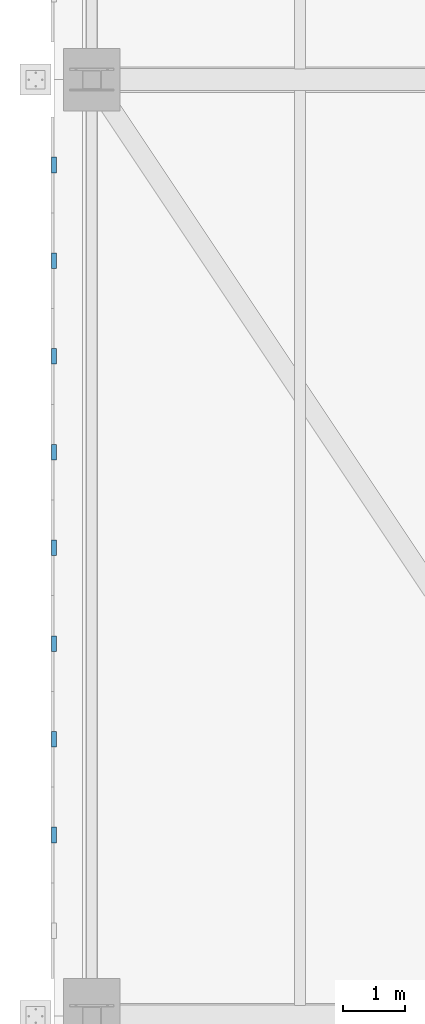
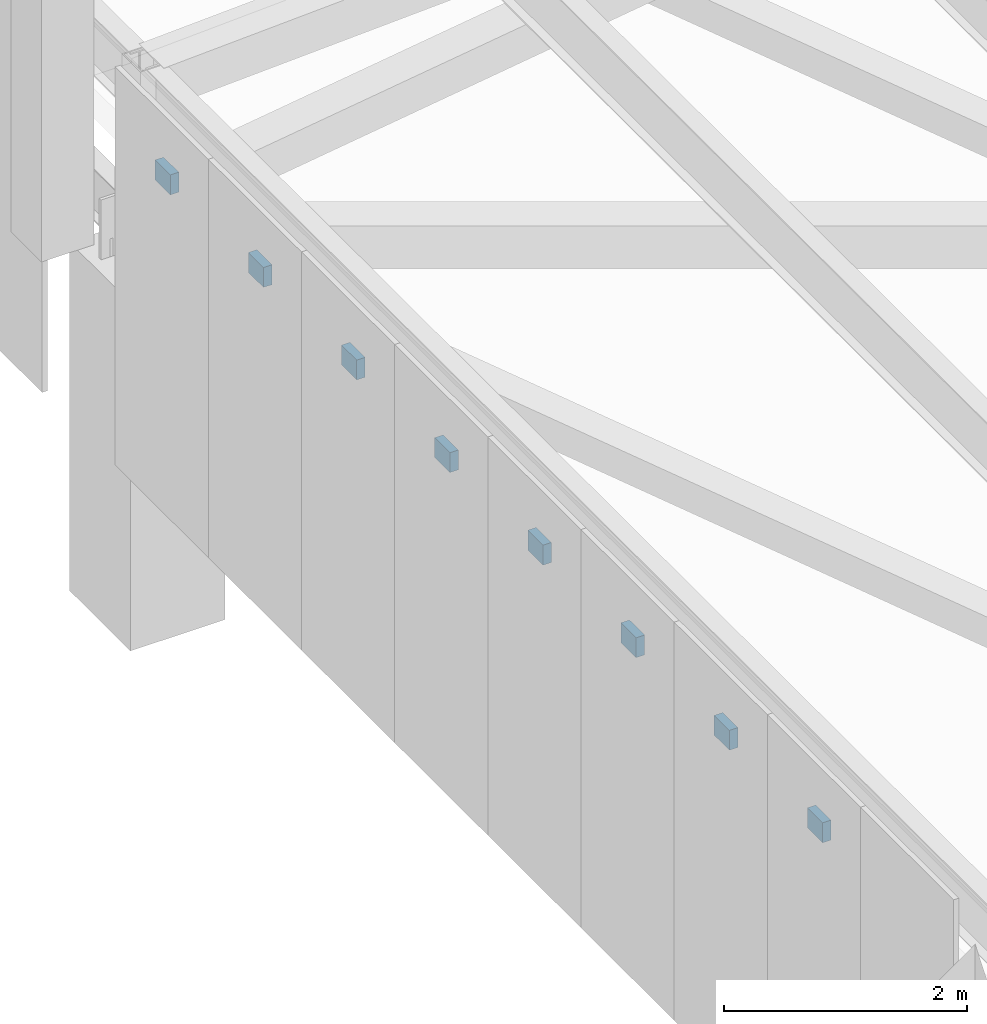
# One storey, part 208 of 278: 8 discrete accessories.
"""IFC4 building model written with IfcOpenShell, lengths in metres."""

from ifc_helpers import new_model, si_unit, direction, frame, origin, origin_2d, place, context, subcontext, project, spatial, rectangle, extrude, material, layer, layer_set, type_object, element, save


model = new_model("IFC4")

# Units and contexts
model_context = context("Model", 3, precision=1e-05, world=origin(), true_north=direction((0.0, 1.0)))
body_context = subcontext(model_context, "Body", "Model", "MODEL_VIEW")
ifc_project = project(units=[si_unit("LENGTHUNIT", "METRE"), si_unit("AREAUNIT", "SQUARE_METRE"), si_unit("VOLUMEUNIT", "CUBIC_METRE"), si_unit("PLANEANGLEUNIT", "RADIAN"), si_unit("MASSUNIT", "GRAM", prefix="KILO")], contexts=[model_context])

# Site, building, storey
site_placement = place(None, origin())
site = spatial("IfcSite", under=ifc_project, at=site_placement, CompositionType="ELEMENT")
building_placement = place(site_placement, origin())
building = spatial("IfcBuilding", under=site, at=building_placement, Name="Ogive Plaza Stadium", CompositionType="ELEMENT")
storey_placement = place(building_placement, frame((0.0, 0.0, 29.0)))
storey = spatial("IfcBuildingStorey", under=building, at=storey_placement, Name="Roof", CompositionType="ELEMENT", Elevation=29.0)

# Discrete accessories
ifc_material = material(Name="Steel ASTM A572 Grade 50", Category="steel")
ifc_layer = layer(ifc_material, 0.080078125)
ifc_layer_set = layer_set([ifc_layer], Name="Steel ASTM A572 Grade 50")
discrete_accessory_type = type_object("IfcDiscreteAccessoryType", Name="Tracery screen bracket 250x200", PredefinedType="BRACKET", material=ifc_layer_set)
for number, where, z_axis, x_axis, name in (
    (1, (-84.602294921875, 25.39990234375, 5.25), (0.0, 0.0, 1.0), (0.0, 1.0, 0.0), "TRACERY SCREEN BRACKET B26 2"),
    (2, (-84.602294921875, 26.933349609375, 5.25), (0.0, 0.0, 1.0), (0.0, 1.0, 0.0), "TRACERY SCREEN BRACKET B26 3"),
    (3, (-84.602294921875, 28.466796875, 5.25), (0.0, 0.0, 1.0), (0.0, 1.0, 0.0), "TRACERY SCREEN BRACKET B26 4"),
    (4, (-84.602294921875, 30.0, 5.25), (0.0, 0.0, 1.0), (0.0, 1.0, 0.0), "TRACERY SCREEN BRACKET B26 5"),
    (5, (-84.602294921875, 31.533203125, 5.25), (0.0, 0.0, 1.0), (0.0, 1.0, 0.0), "TRACERY SCREEN BRACKET B26 6"),
    (6, (-84.602294921875, 33.066650390625, 5.25), (0.0, 0.0, 1.0), (0.0, 1.0, 0.0), "TRACERY SCREEN BRACKET B26 7"),
    (7, (-84.602294921875, 34.60009765625, 5.25), (0.0, 0.0, 1.0), (0.0, 1.0, 0.0), "TRACERY SCREEN BRACKET B26 8"),
    (8, (-84.602294921875, 36.13330078125, 5.25), (0.0, 0.0, 1.0), (0.0, 1.0, 0.0), "TRACERY SCREEN BRACKET B26 9"),
):
    element("IfcDiscreteAccessory", number, at=place(storey_placement, frame(where, z_axis=z_axis, x_axis=x_axis)), inside=storey, type_object=discrete_accessory_type, Name=name, PredefinedType="BRACKET", context=body_context, shape_type="SweptSolid", body=[
        extrude(rectangle(XDim=0.25, YDim=0.080078125, at=origin_2d()), origin(), (0.0, 0.0, 1.0), 0.199951171875),
    ])

save(model, "model.ifc")
